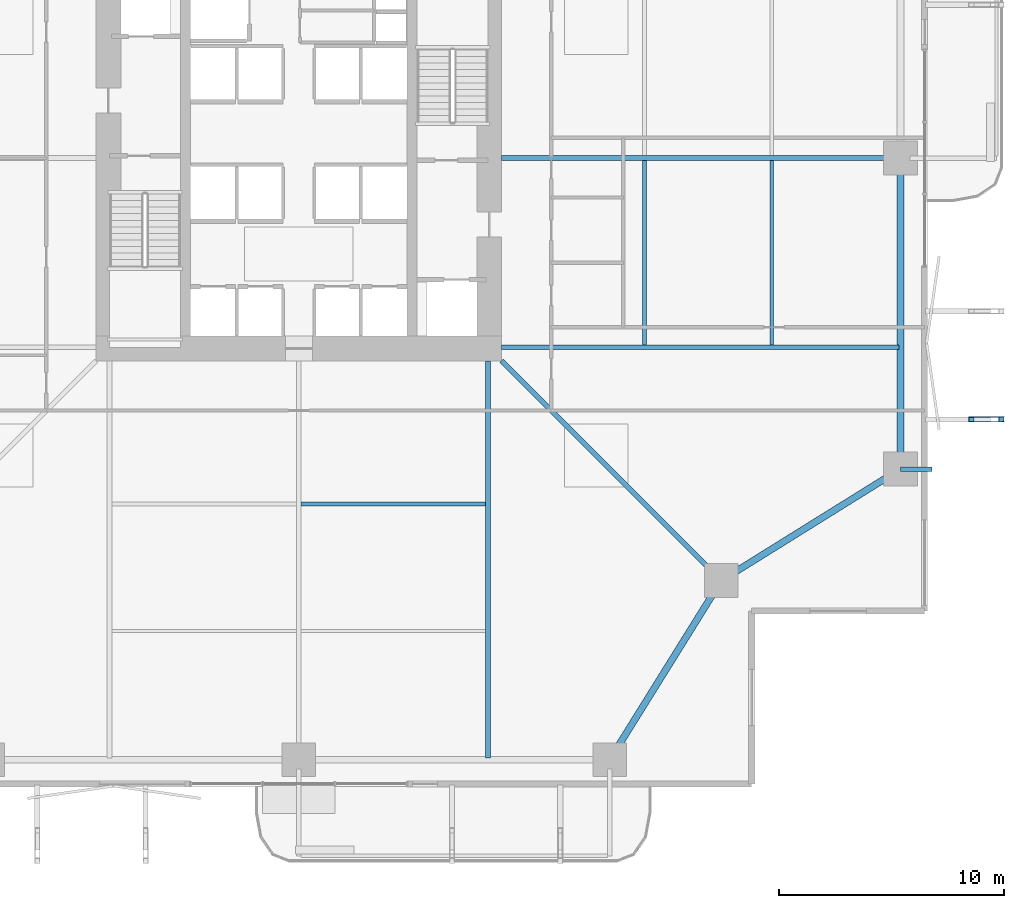
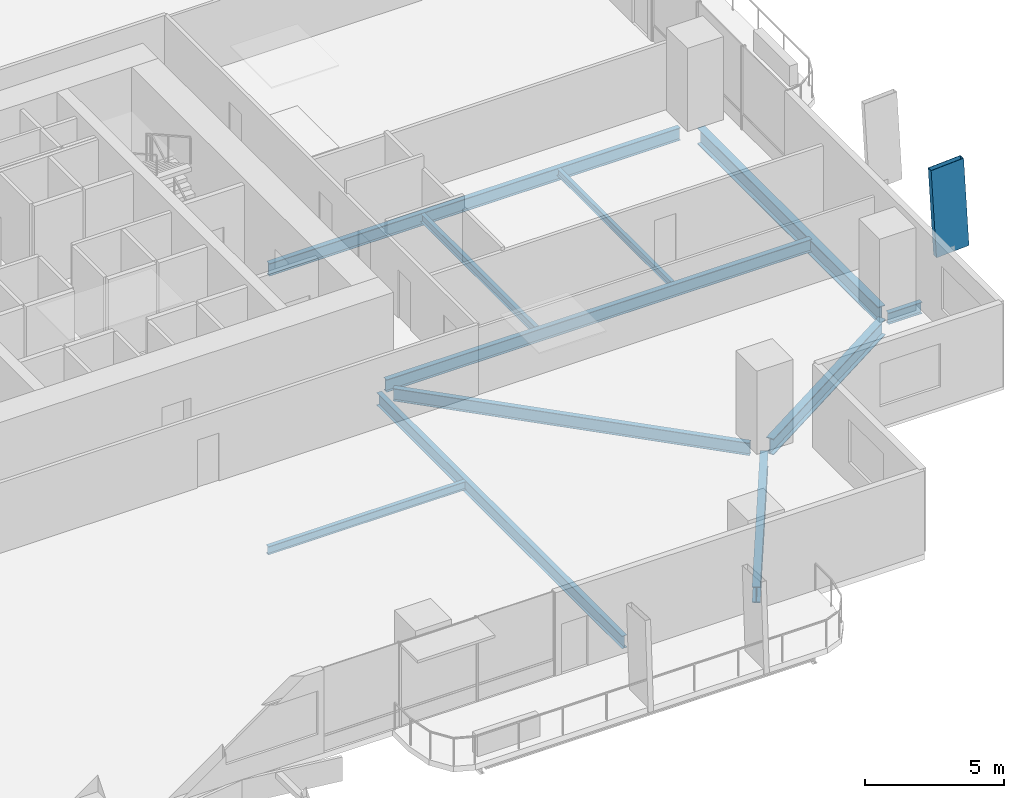
# One storey, part 7 of 24: 11 beams, 1 member.
"""IFC4 building model written with IfcOpenShell, lengths in metres."""

from ifc_helpers import new_model, si_unit, direction, frame, origin, origin_2d, place, context, subcontext, project, spatial, hollow_rectangle, i_section, extrude, material, material_profile, profile_set, type_object, element, save


model = new_model("IFC4")

# Units and contexts
model_context = context("Model", 3, precision=1e-05, world=origin(), true_north=direction((0.0, 1.0)))
body_context = subcontext(model_context, "Body", "Model", "MODEL_VIEW")
ifc_project = project(units=[si_unit("LENGTHUNIT", "METRE"), si_unit("AREAUNIT", "SQUARE_METRE"), si_unit("VOLUMEUNIT", "CUBIC_METRE"), si_unit("PLANEANGLEUNIT", "RADIAN"), si_unit("MASSUNIT", "GRAM", prefix="KILO")], contexts=[model_context])

# Site, building, storey
site_placement = place(None, origin())
site = spatial("IfcSite", under=ifc_project, at=site_placement, CompositionType="ELEMENT")
building_placement = place(site_placement, origin())
building = spatial("IfcBuilding", under=site, at=building_placement, Name="Belovzor Exchange Tower", CompositionType="ELEMENT")
storey_placement = place(building_placement, frame((0.0, 0.0, 45.60009765625)))
storey = spatial("IfcBuildingStorey", under=building, at=storey_placement, Name="L10", CompositionType="ELEMENT", Elevation=45.60009765625)

# Member
ifc_material_1 = material(Name="Extruded Architectural Terracotta on Steel S355 Carrier", Category="masonry")
ifc_material_profile_1 = material_profile(ifc_material_1, hollow_rectangle(XDim=0.219970703125, YDim=1.35009765625, WallThickness=0.013916015625, at=origin_2d()))
ifc_profile_set_1 = profile_set([ifc_material_profile_1], Name="Extruded Architectural Terracotta on Steel S355 Carrier")
member_type = type_object("IfcMemberType", Name="Base Arc Sweeping Terracotta Pylon Fin 1450", PredefinedType="USERDEFINED", material=ifc_profile_set_1)
member_placement = place(storey_placement, frame((59.4208984375, 17.199951171875, -0.25), z_axis=(-0.057062249796, 0.0, 0.998370622388), x_axis=(0.0, -1.0, 0.0)))
element("IfcMember", 1, at=member_placement, inside=storey, type_object=member_type, Name="FIN-TC145 Terracotta Facade Fin L10 E1", ObjectType="FIN", PredefinedType="USERDEFINED", context=body_context, shape_type="SweptSolid", body=[
    extrude(hollow_rectangle(XDim=0.219970703125, YDim=1.35009765625, WallThickness=0.013916015625, at=origin_2d()), origin(), (0.0, 0.0, 1.0), 3.90625),
])

# Beams
ifc_material_2 = material(Name="Steel S355", Category="steel")
ifc_material_profile_2 = material_profile(ifc_material_2, i_section(OverallWidth=0.199951171875, OverallDepth=0.5, WebThickness=0.01025390625, FlangeThickness=0.01611328125, at=origin_2d()))
ifc_profile_set_2 = profile_set([ifc_material_profile_2], Name="Steel S355")
beam_type_1 = type_object("IfcBeamType", Name="Planted Balcony Cantilever Beam IPE 500", PredefinedType="BEAM", material=ifc_profile_set_2)
beam_1_placement = place(storey_placement, frame((55.5, 15.0, -0.5), z_axis=(1.0, 0.0, 0.0), x_axis=(0.0, 1.0, 0.0)))
element("IfcBeam", 2, at=beam_1_placement, inside=storey, type_object=beam_type_1, Name="BC-500 Planted Balcony Cantilever Beam IPE 500", PredefinedType="BEAM", context=body_context, shape_type="SweptSolid", body=[
    extrude(i_section(OverallWidth=0.199951171875, OverallDepth=0.5, WebThickness=0.01025390625, FlangeThickness=0.01611328125, at=origin_2d()), origin(), (0.0, 0.0, 1.0), 1.39990234375),
])
ifc_material_3 = material(Name="Steel S355", Category="steel")
ifc_material_profile_3 = material_profile(ifc_material_3, i_section(OverallWidth=0.169921875, OverallDepth=0.360107421875, WebThickness=0.008056640625, FlangeThickness=0.0126953125, at=origin_2d()))
ifc_profile_set_3 = profile_set([ifc_material_profile_3], Name="Steel S355")
beam_type_2 = type_object("IfcBeamType", Name="Secondary Infill Floor Joist IPE 360", PredefinedType="BEAM", material=ifc_profile_set_3)
beam_2_placement = place(storey_placement, frame((28.905029296875, 13.455078125, -0.43017578125), z_axis=(1.0, 0.0, 0.0), x_axis=(0.0, 1.0, 0.0)))
element("IfcBeam", 3, at=beam_2_placement, inside=storey, type_object=beam_type_2, Name="FJ-360 Secondary Infill Floor Joist IPE 360", PredefinedType="BEAM", context=body_context, shape_type="SweptSolid", body=[
    extrude(i_section(OverallWidth=0.169921875, OverallDepth=0.360107421875, WebThickness=0.008056640625, FlangeThickness=0.0126953125, at=origin_2d()), origin(), (0.0, 0.0, 1.0), 8.18994140625),
])
beam_3_placement = place(storey_placement, frame((44.14501953125, 20.5048828125, -0.43017578125), z_axis=(0.0, 1.0, 0.0), x_axis=(-1.0, 0.0, 0.0)))
element("IfcBeam", 4, at=beam_3_placement, inside=storey, type_object=beam_type_2, Name="FJ-360 Secondary Infill Floor Joist IPE 360", PredefinedType="BEAM", context=body_context, shape_type="SweptSolid", body=[
    extrude(i_section(OverallWidth=0.169921875, OverallDepth=0.360107421875, WebThickness=0.008056640625, FlangeThickness=0.0126953125, at=origin_2d()), origin(), (0.0, 0.0, 1.0), 8.190185546875),
])
ifc_material_4 = material(Name="Steel S355", Category="steel")
ifc_material_profile_4 = material_profile(ifc_material_4, i_section(OverallWidth=0.14990234375, OverallDepth=0.300048828125, WebThickness=0.007080078125, FlangeThickness=0.0107421875, at=origin_2d()))
ifc_profile_set_4 = profile_set([ifc_material_profile_4], Name="Steel S355")
beam_type_3 = type_object("IfcBeamType", Name="Secondary Trim Floor Joist IPE 300", PredefinedType="BEAM", material=ifc_profile_set_4)
beam_4_placement = place(storey_placement, frame((49.784912109375, 20.5048828125, -0.400146484375), z_axis=(0.0, 1.0, 0.0), x_axis=(-1.0, 0.0, 0.0)))
element("IfcBeam", 5, at=beam_4_placement, inside=storey, type_object=beam_type_3, Name="FJ-300 Secondary Trim Floor Joist IPE 300", PredefinedType="BEAM", context=body_context, shape_type="SweptSolid", body=[
    extrude(i_section(OverallWidth=0.14990234375, OverallDepth=0.300048828125, WebThickness=0.007080078125, FlangeThickness=0.0107421875, at=origin_2d()), origin(), (0.0, 0.0, 1.0), 8.190185546875),
])
ifc_material_5 = material(Name="Steel S355", Category="steel")
ifc_material_profile_5 = material_profile(ifc_material_5, i_section(OverallWidth=0.300048828125, OverallDepth=0.699951171875, WebThickness=0.01708984375, FlangeThickness=0.031982421875, at=origin_2d()))
ifc_profile_set_5 = profile_set([ifc_material_profile_5], Name="Steel S355")
beam_type_4 = type_object("IfcBeamType", Name="Zone 1 Primary Perimeter Girder HEB 700", PredefinedType="BEAM", material=ifc_profile_set_5)
for number, where, z_axis, x_axis, name in (
    (6, (42.818115234375, 2.449951171875, -0.60009765625), (0.528538629686, 0.848909251292, 0.0), (-0.848909251292, 0.528538629686, 0.0), "FG-Z1 Zone 1 Primary Perimeter Girder HEB 700"),
    (7, (47.89990234375, 10.26806640625, -0.60009765625), (0.848909251292, 0.528538629686, 0.0), (-0.528538629686, 0.848909251292, 0.0), "FG-Z1 Zone 1 Primary Perimeter Girder HEB 700"),
):
    element("IfcBeam", number, at=place(storey_placement, frame(where, z_axis=z_axis, x_axis=x_axis)), inside=storey, type_object=beam_type_4, Name=name, PredefinedType="BEAM", context=body_context, shape_type="SweptSolid", body=[
        extrude(i_section(OverallWidth=0.300048828125, OverallDepth=0.699951171875, WebThickness=0.01708984375, FlangeThickness=0.031982421875, at=origin_2d()), origin(), (0.0, 0.0, 1.0), 8.540283203125),
    ])
beam_5_placement = place(storey_placement, frame((55.5, 15.412109375, -0.60009765625), z_axis=(0.0, 1.0, 0.0), x_axis=(-1.0, 0.0, 0.0)))
element("IfcBeam", 8, at=beam_5_placement, inside=storey, type_object=beam_type_4, Name="FG-Z1 Zone 1 Primary Perimeter Girder HEB 700", PredefinedType="BEAM", context=body_context, shape_type="SweptSolid", body=[
    extrude(i_section(OverallWidth=0.300048828125, OverallDepth=0.699951171875, WebThickness=0.01708984375, FlangeThickness=0.031982421875, at=origin_2d()), origin(), (0.0, 0.0, 1.0), 12.974853515625),
])
ifc_material_6 = material(Name="Steel S355", Category="steel")
ifc_material_profile_6 = material_profile(ifc_material_6, i_section(OverallWidth=0.2099609375, OverallDepth=0.550048828125, WebThickness=0.010986328125, FlangeThickness=0.01708984375, at=origin_2d()))
ifc_profile_set_6 = profile_set([ifc_material_profile_6], Name="Steel S355")
beam_type_5 = type_object("IfcBeamType", Name="Zone 1 Radial Composite Floor Beam IPE 550", PredefinedType="BEAM", material=ifc_profile_set_6)
for number, where, z_axis, x_axis, name in (
    (9, (37.199951171875, 19.800048828125, -0.525146484375), (0.0, -1.0, 0.0), (1.0, 0.0, 0.0), "FB-550 Zone 1 Radial Composite Floor Beam IPE 550"),
    (10, (37.800048828125, 20.39990234375, -0.525146484375), (1.0, 0.0, 0.0), (0.0, 1.0, 0.0), "FB-550 Zone 1 Radial Composite Floor Beam IPE 550"),
):
    element("IfcBeam", number, at=place(storey_placement, frame(where, z_axis=z_axis, x_axis=x_axis)), inside=storey, type_object=beam_type_5, Name=name, PredefinedType="BEAM", context=body_context, shape_type="SweptSolid", body=[
        extrude(i_section(OverallWidth=0.2099609375, OverallDepth=0.550048828125, WebThickness=0.010986328125, FlangeThickness=0.01708984375, at=origin_2d()), origin(), (0.0, 0.0, 1.0), 17.625),
    ])
beam_6_placement = place(storey_placement, frame((37.800048828125, 28.800048828125, -0.525146484375), z_axis=(1.0, 0.0, 0.0), x_axis=(0.0, 1.0, 0.0)))
element("IfcBeam", 11, at=beam_6_placement, inside=storey, type_object=beam_type_5, Name="FB-550 Zone 1 Radial Composite Floor Beam IPE 550", PredefinedType="BEAM", context=body_context, shape_type="SweptSolid", body=[
    extrude(i_section(OverallWidth=0.2099609375, OverallDepth=0.550048828125, WebThickness=0.010986328125, FlangeThickness=0.01708984375, at=origin_2d()), origin(), (0.0, 0.0, 1.0), 17.0400390625),
])
beam_7_placement = place(storey_placement, frame((37.800048828125, 19.800048828125, -0.525146484375), z_axis=(0.707106781187, -0.707106781187, 0.0), x_axis=(0.707106781187, 0.707106781187, 0.0)))
element("IfcBeam", 12, at=beam_7_placement, inside=storey, type_object=beam_type_5, Name="FB-550 Zone 1 Radial Composite Floor Beam IPE 550", PredefinedType="BEAM", context=body_context, shape_type="SweptSolid", body=[
    extrude(i_section(OverallWidth=0.2099609375, OverallDepth=0.550048828125, WebThickness=0.010986328125, FlangeThickness=0.01708984375, at=origin_2d()), origin(), (0.0, 0.0, 1.0), 13.25830078125),
])

save(model, "model.ifc")
